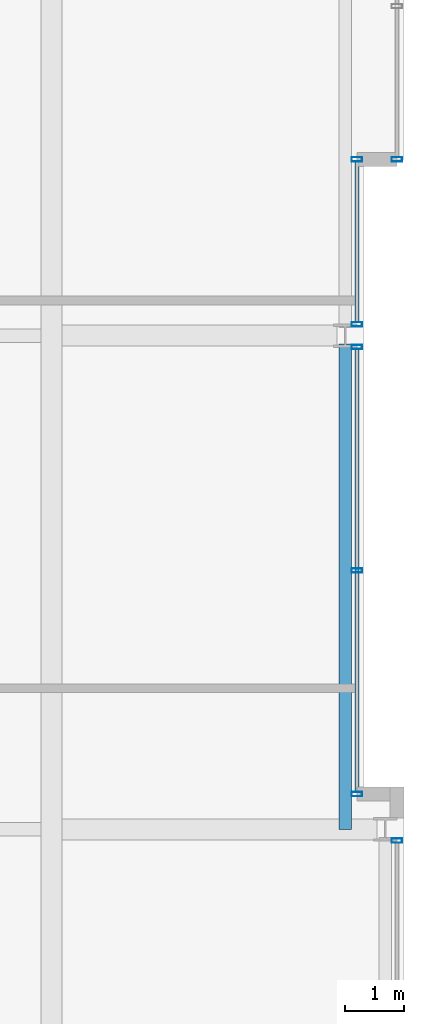
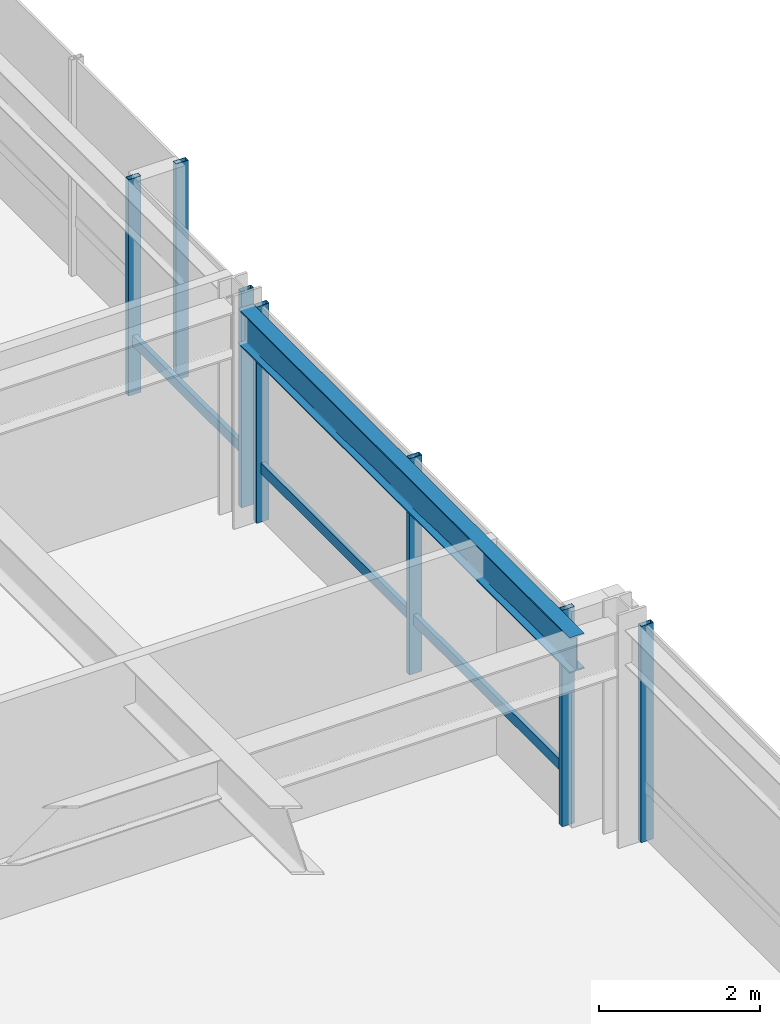
# One storey, part 15 of 31: 9 members, 1 beam, 4 elements without a shape of their own.
"""IFC4 building model written with IfcOpenShell, lengths in metres."""

from ifc_helpers import new_model, si_unit, direction, frame, origin, origin_2d, place, context, subcontext, project, spatial, hollow_rectangle, i_section, extrude, material, layer, layer_set, material_profile, profile_set, type_object, element, aggregate, save


model = new_model("IFC4")

# Units and contexts
model_context = context("Model", 3, precision=1e-05, world=origin(), true_north=direction((0.0, 1.0)))
body_context = subcontext(model_context, "Body", "Model", "MODEL_VIEW")
ifc_project = project(units=[si_unit("LENGTHUNIT", "METRE"), si_unit("AREAUNIT", "SQUARE_METRE"), si_unit("VOLUMEUNIT", "CUBIC_METRE"), si_unit("PLANEANGLEUNIT", "RADIAN"), si_unit("MASSUNIT", "GRAM", prefix="KILO")], contexts=[model_context])

# Site, building, storey
site_placement = place(None, origin())
site = spatial("IfcSite", under=ifc_project, at=site_placement, CompositionType="ELEMENT")
building_placement = place(site_placement, origin())
building = spatial("IfcBuilding", under=site, at=building_placement, Name="Drelvath Grand Hotel", CompositionType="ELEMENT")
storey_placement = place(building_placement, frame((0.0, 0.0, 185.89990234375)))
storey = spatial("IfcBuildingStorey", under=building, at=storey_placement, Name="L48", CompositionType="ELEMENT", Elevation=185.89990234375)

# Curtain wall, member
ifc_material_1 = material(Name="Brushed Pale-Silver Anodised Aluminium Frame", Category="aluminium")
ifc_layer = layer(ifc_material_1, 0.199951171875)
ifc_layer_set = layer_set([ifc_layer], Name="Brushed Pale-Silver Anodised Aluminium Frame")
curtain_wall_type = type_object("IfcCurtainWallType", Name="Stick Curtain Wall CW-04 Brushed Silver Upper-Mid", PredefinedType="NOTDEFINED", material=ifc_layer_set)
curtain_wall_1_placement = place(storey_placement, origin())
curtain_wall_1 = element("IfcCurtainWall", 1, at=curtain_wall_1_placement, inside=storey, type_object=curtain_wall_type, Name="L48 CW-04 Curtain Wall CW04-L48-EM1", PredefinedType="NOTDEFINED")
ifc_material_profile_1 = material_profile(ifc_material_1, hollow_rectangle(XDim=0.06494140625, YDim=0.159912109375, WallThickness=0.00390625, at=origin_2d()), Name="HSS160X65X4")
ifc_profile_set_1 = profile_set([ifc_material_profile_1], Name="Brushed Pale-Silver Anodised Aluminium Frame")
member_type_1 = type_object("IfcMemberType", Name="Curtain Wall Horizontal Transom CW-04 HSS160X65X4", PredefinedType="USERDEFINED", material=ifc_profile_set_1)
member_1_placement = place(storey_placement, frame((21.39990234375, 26.768310546875, 0.822509765625), z_axis=(0.0, -1.0, 0.0), x_axis=(1.0, 0.0, 0.0)))
member_1 = element("IfcMember", 2, at=member_1_placement, type_object=member_type_1, Name="CW04-L48-EM1 Sill Transom", ObjectType="TRANSOM", PredefinedType="USERDEFINED", context=body_context, shape_type="SweptSolid", body=[
    extrude(hollow_rectangle(XDim=0.06494140625, YDim=0.159912109375, WallThickness=0.00390625, at=origin_2d()), origin(), (0.0, 0.0, 1.0), 7.5283203125),
])

curtain_wall_2_placement = place(storey_placement, origin())
curtain_wall_2 = element("IfcCurtainWall", 3, at=curtain_wall_2_placement, inside=storey, type_object=curtain_wall_type, Name="L48 CW-04 Curtain Wall CW04-L48-EM2", PredefinedType="NOTDEFINED")
member_2_placement = place(storey_placement, frame((21.39990234375, 29.9599609375, 0.822509765625), z_axis=(0.0, -1.0, 0.0), x_axis=(1.0, 0.0, 0.0)))
member_2 = element("IfcMember", 4, at=member_2_placement, type_object=member_type_1, Name="CW04-L48-EM2 Sill Transom", ObjectType="TRANSOM", PredefinedType="USERDEFINED", context=body_context, shape_type="SweptSolid", body=[
    extrude(hollow_rectangle(XDim=0.06494140625, YDim=0.159912109375, WallThickness=0.00390625, at=origin_2d()), origin(), (0.0, 0.0, 1.0), 2.728271484375),
])

curtain_wall_3_placement = place(storey_placement, origin())
curtain_wall_3 = element("IfcCurtainWall", 5, at=curtain_wall_3_placement, inside=storey, type_object=curtain_wall_type, Name="L48 CW-04 Curtain Wall CW04-L48-EN1", PredefinedType="NOTDEFINED")
ifc_material_profile_2 = material_profile(ifc_material_1, hollow_rectangle(XDim=0.074951171875, YDim=0.179931640625, WallThickness=0.0048828125, at=origin_2d()), Name="HSS180X75X5")
ifc_profile_set_2 = profile_set([ifc_material_profile_2], Name="Brushed Pale-Silver Anodised Aluminium Frame")
member_type_2 = type_object("IfcMemberType", Name="Curtain Wall Vertical Mullion CW-04 HSS180X75X5", PredefinedType="MULLION", material=ifc_profile_set_2)
member_3_placement = place(storey_placement, frame((22.080078125, 30.0, 0.0), z_axis=(0.0, 0.0, 1.0), x_axis=(0.0, 1.0, 0.0)))
member_3 = element("IfcMember", 6, at=member_3_placement, type_object=member_type_2, Name="CW04-L48-EN1 Mullion 3", PredefinedType="MULLION", context=body_context, shape_type="SweptSolid", body=[
    extrude(hollow_rectangle(XDim=0.074951171875, YDim=0.179931640625, WallThickness=0.0048828125, at=origin_2d()), origin(), (0.0, 0.0, 1.0), 3.2900390625),
])
aggregate(curtain_wall_3, [member_3])

# Member
member_4_placement = place(storey_placement, frame((21.39990234375, 26.808349609375, 0.0), z_axis=(0.0, 0.0, 1.0), x_axis=(0.0, 1.0, 0.0)))
member_4 = element("IfcMember", 7, at=member_4_placement, type_object=member_type_2, Name="CW04-L48-EM1 Mullion 1", PredefinedType="MULLION", context=body_context, shape_type="SweptSolid", body=[
    extrude(hollow_rectangle(XDim=0.074951171875, YDim=0.179931640625, WallThickness=0.0048828125, at=origin_2d()), origin(), (0.0, 0.0, 1.0), 3.2900390625),
])

member_5_placement = place(storey_placement, frame((21.39990234375, 23.004150390625, 0.0), z_axis=(0.0, 0.0, 1.0), x_axis=(0.0, 1.0, 0.0)))
member_5 = element("IfcMember", 8, at=member_5_placement, type_object=member_type_2, Name="CW04-L48-EM1 Mullion 2", PredefinedType="MULLION", context=body_context, shape_type="SweptSolid", body=[
    extrude(hollow_rectangle(XDim=0.074951171875, YDim=0.179931640625, WallThickness=0.0048828125, at=origin_2d()), origin(), (0.0, 0.0, 1.0), 3.2900390625),
])

member_6_placement = place(storey_placement, frame((21.39990234375, 19.199951171875, 0.0), z_axis=(0.0, 0.0, 1.0), x_axis=(0.0, 1.0, 0.0)))
member_6 = element("IfcMember", 9, at=member_6_placement, type_object=member_type_2, Name="CW04-L48-EM1 Mullion 3", PredefinedType="MULLION", context=body_context, shape_type="SweptSolid", body=[
    extrude(hollow_rectangle(XDim=0.074951171875, YDim=0.179931640625, WallThickness=0.0048828125, at=origin_2d()), origin(), (0.0, 0.0, 1.0), 3.2900390625),
])

aggregate(curtain_wall_1, [member_4, member_5, member_6, member_1])

member_7_placement = place(storey_placement, frame((21.39990234375, 30.0, 0.0), z_axis=(0.0, 0.0, 1.0), x_axis=(0.0, 1.0, 0.0)))
member_7 = element("IfcMember", 10, at=member_7_placement, type_object=member_type_2, Name="CW04-L48-EM2 Mullion 1", PredefinedType="MULLION", context=body_context, shape_type="SweptSolid", body=[
    extrude(hollow_rectangle(XDim=0.074951171875, YDim=0.179931640625, WallThickness=0.0048828125, at=origin_2d()), origin(), (0.0, 0.0, 1.0), 3.2900390625),
])

member_8_placement = place(storey_placement, frame((21.39990234375, 27.191650390625, 0.0), z_axis=(0.0, 0.0, 1.0), x_axis=(0.0, 1.0, 0.0)))
member_8 = element("IfcMember", 11, at=member_8_placement, type_object=member_type_2, Name="CW04-L48-EM2 Mullion 2", PredefinedType="MULLION", context=body_context, shape_type="SweptSolid", body=[
    extrude(hollow_rectangle(XDim=0.074951171875, YDim=0.179931640625, WallThickness=0.0048828125, at=origin_2d()), origin(), (0.0, 0.0, 1.0), 3.2900390625),
])

aggregate(curtain_wall_2, [member_7, member_8, member_2])

# Curtain wall, member
curtain_wall_4_placement = place(storey_placement, origin())
curtain_wall_4 = element("IfcCurtainWall", 12, at=curtain_wall_4_placement, inside=storey, type_object=curtain_wall_type, Name="L48 CW-04 Curtain Wall CW04-L48-ES2", PredefinedType="NOTDEFINED")
member_9_placement = place(storey_placement, frame((22.080078125, 18.408447265625, 0.0), z_axis=(0.0, 0.0, 1.0), x_axis=(0.0, 1.0, 0.0)))
member_9 = element("IfcMember", 13, at=member_9_placement, type_object=member_type_2, Name="CW04-L48-ES2 Mullion 1", PredefinedType="MULLION", context=body_context, shape_type="SweptSolid", body=[
    extrude(hollow_rectangle(XDim=0.074951171875, YDim=0.179931640625, WallThickness=0.0048828125, at=origin_2d()), origin(), (0.0, 0.0, 1.0), 3.2900390625),
])
aggregate(curtain_wall_4, [member_9])

# Beam
ifc_material_2 = material(Name="Steel ASTM A992 Gr 50", Category="steel")
ifc_material_profile_3 = material_profile(ifc_material_2, i_section(OverallWidth=0.210205078125, OverallDepth=0.53662109375, WebThickness=0.010986328125, FlangeThickness=0.017333984375, FilletRadius=0.01806640625, at=origin_2d()), Name="W21X68")
ifc_profile_set_3 = profile_set([ifc_material_profile_3], Name="Steel ASTM A992 Gr 50")
beam_type = type_object("IfcBeamType", Name="Perimeter Spandrel Beam W21X68", PredefinedType="SPANDREL", material=ifc_profile_set_3)
beam_placement = place(storey_placement, frame((21.199951171875, 18.60009765625, 3.021728515625), z_axis=(0.0, 1.0, 0.0), x_axis=(-1.0, 0.0, 0.0)))
element("IfcBeam", 14, at=beam_placement, inside=storey, type_object=beam_type, Name="L48 Spandrel East Mid S", PredefinedType="SPANDREL", context=body_context, shape_type="SweptSolid", body=[
    extrude(i_section(OverallWidth=0.210205078125, OverallDepth=0.53662109375, WebThickness=0.010986328125, FlangeThickness=0.017333984375, FilletRadius=0.01806640625, at=origin_2d()), origin(), (0.0, 0.0, 1.0), 8.260009765625),
])

save(model, "model.ifc")
